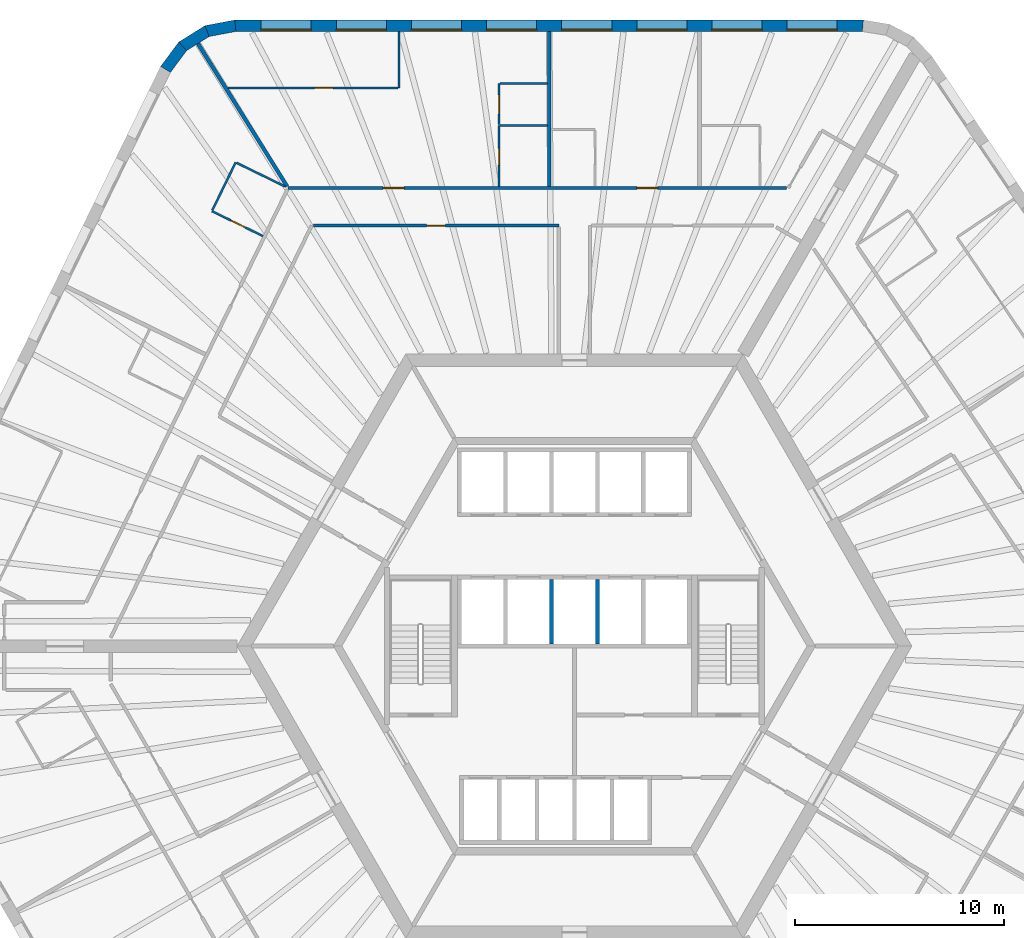
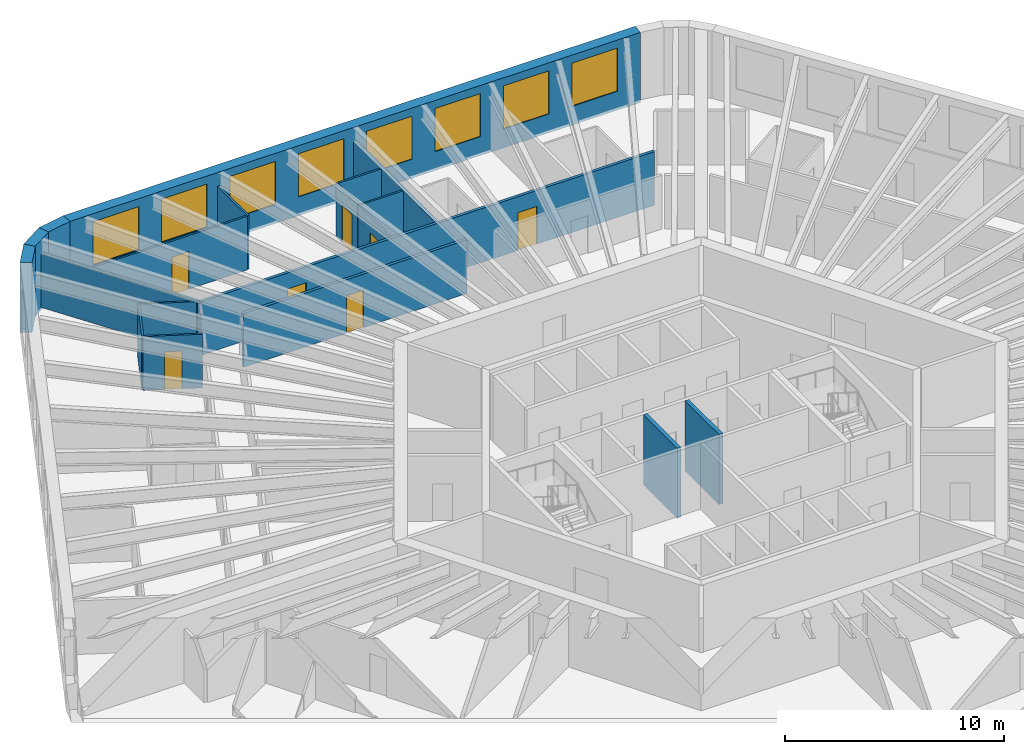
# One storey, part 8 of 12: 19 walls, 8 windows, 7 doors, 15 openings.
"""IFC4 building model written with IfcOpenShell, lengths in metres."""

from ifc_helpers import new_model, si_unit, direction, frame, frame_2d, origin, place, context, subcontext, project, spatial, polyline, rectangle, outline, extrude, material, layer, layer_set, type_object, element, fill, save


model = new_model("IFC4")

# Units and contexts
model_context = context("Model", 3, precision=1e-05, world=origin(), true_north=direction((0.0, 1.0)))
body_context = subcontext(model_context, "Body", "Model", "MODEL_VIEW")
ifc_project = project(units=[si_unit("LENGTHUNIT", "METRE"), si_unit("AREAUNIT", "SQUARE_METRE"), si_unit("VOLUMEUNIT", "CUBIC_METRE"), si_unit("PLANEANGLEUNIT", "RADIAN"), si_unit("MASSUNIT", "GRAM", prefix="KILO")], contexts=[model_context])

# Site, building, storey
site_placement = place(None, origin())
site = spatial("IfcSite", under=ifc_project, at=site_placement, CompositionType="ELEMENT")
building_placement = place(site_placement, origin())
building = spatial("IfcBuilding", under=site, at=building_placement, Name="Tarnside Tower", CompositionType="ELEMENT")
storey_placement = place(building_placement, frame((0.0, 0.0, 119.39990234375)))
storey = spatial("IfcBuildingStorey", under=building, at=storey_placement, Name="L27", CompositionType="ELEMENT", Elevation=119.39990234375)

# Wall, opening, door
ifc_material_1 = material(Name="Gypsum board partition on steel studs", Category="steel")
ifc_layer_1 = layer(ifc_material_1, 0.10009765625)
ifc_layer_set_1 = layer_set([ifc_layer_1], Name="Bathroom wall 100")
wall_type_1 = type_object("IfcWallType", Name="Bathroom wall 100", PredefinedType="PARTITIONING", material=ifc_layer_set_1)
wall_1_placement = place(storey_placement, frame((-3.611083984375, 22.02490234375, 0.0), z_axis=(0.0, 0.0, 1.0), x_axis=(0.0, 1.0, 0.0)))
wall_1 = element("IfcWall", 1, at=wall_1_placement, inside=storey, type_object=wall_type_1, Name="Bathroom wall 08081", PredefinedType="PARTITIONING", context=body_context, shape_type="SweptSolid", body=[
    extrude(rectangle(XDim=2.925048828125, YDim=0.10009765625, at=frame_2d((1.46240234375, 0.0))), origin(), (0.0, 0.0, 1.0), 2.98779296875),
])
opening_1_placement = place(wall_1_placement, frame((1.02490234375, 0.0, 0.0)))
opening_1 = element("IfcOpeningElement", 2, at=opening_1_placement, cuts=wall_1, Name="Opening D-B1", PredefinedType="OPENING", context=body_context, shape_type="SweptSolid", body=[
    extrude(rectangle(XDim=0.800048828125, YDim=2.10009765625, at=frame_2d((0.39990234375, 1.050048828125))), frame((0.0, 0.06005859375, 0.0), z_axis=(0.0, -1.0, 0.0), x_axis=(1.0, 0.0, 0.0)), (0.0, 0.0, 1.0), 0.1201171875),
])
ifc_material_2 = material(Name="Timber door leaf", Category="wood")
door_type_1 = type_object("IfcDoorType", Name="Bathroom door 800", OperationType="NOTDEFINED", PredefinedType="DOOR", material=ifc_material_2)
door_1_placement = place(opening_1_placement, origin())
door_1 = element("IfcDoor", 3, at=door_1_placement, inside=storey, type_object=door_type_1, Name="Bathroom door 08006", OperationType="SINGLE_SWING_RIGHT", OverallHeight=2.10009765625, OverallWidth=0.800048828125, PredefinedType="DOOR", context=body_context, shape_type="SweptSolid", body=[
    extrude(rectangle(XDim=0.800048828125, YDim=2.10009765625, at=frame_2d((0.39990234375, 1.050048828125))), frame((0.0, 0.02490234375, 0.0), z_axis=(0.0, -1.0, 0.0), x_axis=(1.0, 0.0, 0.0)), (0.0, 0.0, 1.0), 0.050048828125),
])
fill(opening_1, door_1)

# Wall
wall_2_placement = place(storey_placement, frame((-1.301025390625, 24.949951171875, 0.0), z_axis=(0.0, 0.0, 1.0), x_axis=(-1.0, 0.0, 0.0)))
element("IfcWall", 4, at=wall_2_placement, inside=storey, type_object=wall_type_1, Name="Bathroom wall 08087", PredefinedType="PARTITIONING", context=body_context, shape_type="SweptSolid", body=[
    extrude(rectangle(XDim=2.260009765625, YDim=0.10009765625, at=frame_2d((1.1298828125, 0.0))), origin(), (0.0, 0.0, 1.0), 2.98779296875),
])

# Wall, opening, door
wall_3_placement = place(storey_placement, frame((-14.923095703125, 19.64599609375, 0.0), z_axis=(0.0, 0.0, 1.0), x_axis=(-0.898791692788, 0.43837597217, 0.0)))
wall_3 = element("IfcWall", 5, at=wall_3_placement, inside=storey, type_object=wall_type_1, Name="Bathroom wall 08089", PredefinedType="PARTITIONING", context=body_context, shape_type="SweptSolid", body=[
    extrude(rectangle(XDim=2.72509765625, YDim=0.10009765625, at=frame_2d((1.362548828125, 0.0))), origin(), (0.0, 0.0, 1.0), 2.98779296875),
])
opening_2_placement = place(wall_3_placement, frame((0.925048828125, 0.0, 0.0)))
opening_2 = element("IfcOpeningElement", 6, at=opening_2_placement, cuts=wall_3, Name="Opening D-B1", PredefinedType="OPENING", context=body_context, shape_type="SweptSolid", body=[
    extrude(rectangle(XDim=0.800048828125, YDim=2.10009765625, at=frame_2d((0.39990234375, 1.050048828125))), frame((0.0, 0.06005859375, 0.0), z_axis=(0.0, -1.0, 0.0), x_axis=(1.0, 0.0, 0.0)), (0.0, 0.0, 1.0), 0.1201171875),
])
door_2_placement = place(opening_2_placement, origin())
door_2 = element("IfcDoor", 7, at=door_2_placement, inside=storey, type_object=door_type_1, Name="Bathroom door 08010", OperationType="SINGLE_SWING_RIGHT", OverallHeight=2.10009765625, OverallWidth=0.800048828125, PredefinedType="DOOR", context=body_context, shape_type="SweptSolid", body=[
    extrude(rectangle(XDim=0.800048828125, YDim=2.10009765625, at=frame_2d((0.39990234375, 1.050048828125))), frame((0.0, 0.02490234375, 0.0), z_axis=(0.0, -1.0, 0.0), x_axis=(1.0, 0.0, 0.0)), (0.0, 0.0, 1.0), 0.050048828125),
])
fill(opening_2, door_2)

# Walls
wall_4_placement = place(storey_placement, frame((-17.350341796875, 20.885498046875, 0.0), z_axis=(0.0, 0.0, 1.0), x_axis=(0.438384020656, 0.898787767181, 0.0)))
element("IfcWall", 8, at=wall_4_placement, inside=storey, type_object=wall_type_1, Name="Bathroom wall 08090", PredefinedType="PARTITIONING", context=body_context, shape_type="SweptSolid", body=[
    extrude(rectangle(XDim=2.550048828125, YDim=0.10009765625, at=frame_2d((1.27490234375, 0.0))), origin(), (0.0, 0.0, 1.0), 2.98779296875),
])
wall_5_placement = place(storey_placement, frame((-16.1875, 23.155517578125, 0.0), z_axis=(0.0, 0.0, 1.0), x_axis=(0.898776633961, -0.438406845573, 0.0)))
element("IfcWall", 9, at=wall_5_placement, inside=storey, type_object=wall_type_1, Name="Bathroom wall 08091", PredefinedType="PARTITIONING", context=body_context, shape_type="SweptSolid", body=[
    extrude(rectangle(XDim=2.578857421875, YDim=0.10009765625, at=frame_2d((1.28955078125, 0.0))), origin(), (0.0, 0.0, 1.0), 2.98779296875),
])

# Wall, openings, doors
ifc_layer_2 = layer(ifc_material_1, 0.14990234375)
ifc_layer_set_2 = layer_set([ifc_layer_2], Name="Corridor wall 150 EI 60")
wall_type_2 = type_object("IfcWallType", Name="Corridor wall 150 EI 60", PredefinedType="PARTITIONING", material=ifc_layer_set_2)
wall_6_placement = place(storey_placement, frame((10.161376953125, 21.949951171875, 0.0), z_axis=(0.0, 0.0, 1.0), x_axis=(-1.0, 0.0, 0.0)))
wall_6 = element("IfcWall", 10, at=wall_6_placement, inside=storey, type_object=wall_type_2, Name="Corridor wall 08003", PredefinedType="PARTITIONING", context=body_context, shape_type="SweptSolid", body=[
    extrude(rectangle(XDim=23.877197265625, YDim=0.14990234375, at=frame_2d((11.9384765625, 0.0))), origin(), (0.0, 0.0, 1.0), 2.98779296875),
])
opening_3_placement = place(wall_6_placement, frame((6.17236328125, 0.0, 0.0)))
opening_3 = element("IfcOpeningElement", 11, at=opening_3_placement, cuts=wall_6, Name="Opening D-E1", PredefinedType="OPENING", context=body_context, shape_type="SweptSolid", body=[
    extrude(rectangle(XDim=1.0, YDim=2.10009765625, at=frame_2d((0.5, 1.050048828125))), frame((0.0, 0.0849609375, 0.0), z_axis=(0.0, -1.0, 0.0), x_axis=(1.0, 0.0, 0.0)), (0.0, 0.0, 1.0), 0.169921875),
])
opening_4_placement = place(wall_6_placement, frame((18.324951171875, 0.0, 0.0)))
opening_4 = element("IfcOpeningElement", 12, at=opening_4_placement, cuts=wall_6, Name="Opening D-E1", PredefinedType="OPENING", context=body_context, shape_type="SweptSolid", body=[
    extrude(rectangle(XDim=1.0, YDim=2.10009765625, at=frame_2d((0.5, 1.050048828125))), frame((0.0, 0.0849609375, 0.0), z_axis=(0.0, -1.0, 0.0), x_axis=(1.0, 0.0, 0.0)), (0.0, 0.0, 1.0), 0.169921875),
])
door_type_2 = type_object("IfcDoorType", Name="Unit entrance door 1000 FD30S", OperationType="NOTDEFINED", PredefinedType="DOOR", material=ifc_material_2)
door_3_placement = place(opening_3_placement, origin())
door_3 = element("IfcDoor", 13, at=door_3_placement, inside=storey, type_object=door_type_2, Name="Unit door 08003", OperationType="SINGLE_SWING_LEFT", OverallHeight=2.10009765625, OverallWidth=1.0, PredefinedType="DOOR", context=body_context, shape_type="SweptSolid", body=[
    extrude(rectangle(XDim=1.0, YDim=2.10009765625, at=frame_2d((0.5, 1.050048828125))), frame((0.0, 0.02490234375, 0.0), z_axis=(0.0, -1.0, 0.0), x_axis=(1.0, 0.0, 0.0)), (0.0, 0.0, 1.0), 0.050048828125),
])
fill(opening_3, door_3)
door_4_placement = place(opening_4_placement, origin())
door_4 = element("IfcDoor", 14, at=door_4_placement, inside=storey, type_object=door_type_2, Name="Unit door 08005", OperationType="SINGLE_SWING_RIGHT", OverallHeight=2.10009765625, OverallWidth=1.0, PredefinedType="DOOR", context=body_context, shape_type="SweptSolid", body=[
    extrude(rectangle(XDim=1.0, YDim=2.10009765625, at=frame_2d((0.5, 1.050048828125))), frame((0.0, 0.02490234375, 0.0), z_axis=(0.0, -1.0, 0.0), x_axis=(1.0, 0.0, 0.0)), (0.0, 0.0, 1.0), 0.050048828125),
])
fill(opening_4, door_4)

# Wall, opening, door
wall_7_placement = place(storey_placement, frame((-12.507568359375, 20.14990234375, 0.0), z_axis=(0.0, 0.0, 1.0), x_axis=(1.0, 0.0, 0.0)))
wall_7 = element("IfcWall", 15, at=wall_7_placement, inside=storey, type_object=wall_type_2, Name="Corridor wall 08018", PredefinedType="PARTITIONING", context=body_context, shape_type="SweptSolid", body=[
    extrude(rectangle(XDim=11.757568359375, YDim=0.14990234375, at=frame_2d((5.87890625, 0.0))), origin(), (0.0, 0.0, 1.0), 2.98779296875),
])
opening_5_placement = place(wall_7_placement, frame((5.428955078125, 0.0, 0.0)))
opening_5 = element("IfcOpeningElement", 16, at=opening_5_placement, cuts=wall_7, Name="Opening D-S1", PredefinedType="OPENING", context=body_context, shape_type="SweptSolid", body=[
    extrude(rectangle(XDim=0.89990234375, YDim=2.10009765625, at=frame_2d((0.449951171875, 1.050048828125))), frame((0.0, 0.0849609375, 0.0), z_axis=(0.0, -1.0, 0.0), x_axis=(1.0, 0.0, 0.0)), (0.0, 0.0, 1.0), 0.169921875),
])
door_type_3 = type_object("IfcDoorType", Name="Service room door 900 FD30S", OperationType="NOTDEFINED", PredefinedType="DOOR", material=ifc_material_2)
door_5_placement = place(opening_5_placement, origin())
door_5 = element("IfcDoor", 17, at=door_5_placement, inside=storey, type_object=door_type_3, Name="Service door 08040", OperationType="SINGLE_SWING_RIGHT", OverallHeight=2.10009765625, OverallWidth=0.89990234375, PredefinedType="DOOR", context=body_context, shape_type="SweptSolid", body=[
    extrude(rectangle(XDim=0.89990234375, YDim=2.10009765625, at=frame_2d((0.449951171875, 1.050048828125))), frame((0.0, 0.02490234375, 0.0), z_axis=(0.0, -1.0, 0.0), x_axis=(1.0, 0.0, 0.0)), (0.0, 0.0, 1.0), 0.050048828125),
])
fill(opening_5, door_5)

# Walls
ifc_layer_3 = layer(ifc_material_1, 0.179931640625)
ifc_layer_set_3 = layer_set([ifc_layer_3], Name="Demising wall 180 EI 60")
wall_type_3 = type_object("IfcWallType", Name="Demising wall 180 EI 60", PredefinedType="PARTITIONING", material=ifc_layer_set_3)
wall_8_placement = place(storey_placement, frame((-1.2109375, 29.449951171875, 0.0), z_axis=(0.0, 0.0, 1.0), x_axis=(0.0, -1.0, 0.0)))
element("IfcWall", 18, at=wall_8_placement, inside=storey, type_object=wall_type_3, Name="Demising wall 08077", PredefinedType="PARTITIONING", context=body_context, shape_type="SweptSolid", body=[
    extrude(rectangle(XDim=7.425048828125, YDim=0.179931640625, at=frame_2d((3.71240234375, 0.0))), origin(), (0.0, 0.0, 1.0), 2.98779296875),
])
wall_9_placement = place(storey_placement, frame((-18.040771484375, 28.87109375, 0.0), z_axis=(0.0, 0.0, 1.0), x_axis=(0.529928260537, -0.848042474575, 0.0)))
element("IfcWall", 19, at=wall_9_placement, inside=storey, type_object=wall_type_3, Name="Demising wall 08086", PredefinedType="PARTITIONING", context=body_context, shape_type="SweptSolid", body=[
    extrude(rectangle(XDim=8.072998046875, YDim=0.179931640625, at=frame_2d((4.03662109375, 0.0))), origin(), (0.0, 0.0, 1.0), 2.98779296875),
])
ifc_material_3 = material(Name="Concrete C40/50", Category="concrete")
ifc_layer_4 = layer(ifc_material_3, 0.199951171875)
ifc_layer_set_4 = layer_set([ifc_layer_4], Name="Lift shaft wall 200 C40/50")
wall_type_4 = type_object("IfcWallType", Name="Lift shaft wall 200 C40/50", PredefinedType="SHEAR", material=ifc_layer_set_4)
for number, where, z_axis, x_axis, name in (
    (20, (-1.10009765625, 0.10009765625, -0.25), (0.0, 0.0, 1.0), (0.0, 1.0, 0.0), "L27 lift shaft partition R23"),
    (21, (1.10009765625, 0.10009765625, -0.25), (0.0, 0.0, 1.0), (0.0, 1.0, 0.0), "L27 lift shaft partition R24"),
):
    element("IfcWall", number, at=place(storey_placement, frame(where, z_axis=z_axis, x_axis=x_axis)), inside=storey, type_object=wall_type_4, Name=name, PredefinedType="SHEAR", context=body_context, shape_type="SweptSolid", body=[
        extrude(rectangle(XDim=3.099853515625, YDim=0.199951171875, at=frame_2d((1.5498046875, 0.0))), origin(), (0.0, 0.0, 1.0), 3.900146484375),
    ])

# Wall, opening, door
ifc_layer_5 = layer(ifc_material_1, 0.10009765625)
ifc_layer_set_5 = layer_set([ifc_layer_5], Name="Partition 100")
wall_type_5 = type_object("IfcWallType", Name="Partition 100", PredefinedType="PARTITIONING", material=ifc_layer_set_5)
wall_10_placement = place(storey_placement, frame((-3.611083984375, 25.0, 0.0), z_axis=(0.0, 0.0, 1.0), x_axis=(0.0, 1.0, 0.0)))
wall_10 = element("IfcWall", 22, at=wall_10_placement, inside=storey, type_object=wall_type_5, Name="Partition wall 08082", PredefinedType="PARTITIONING", context=body_context, shape_type="SweptSolid", body=[
    extrude(rectangle(XDim=1.949951171875, YDim=0.10009765625, at=frame_2d((0.97509765625, 0.0))), origin(), (0.0, 0.0, 1.0), 2.98779296875),
])
opening_6_placement = place(wall_10_placement, frame((0.5, 0.0, 0.0)))
opening_6 = element("IfcOpeningElement", 23, at=opening_6_placement, cuts=wall_10, Name="Opening D-I1", PredefinedType="OPENING", context=body_context, shape_type="SweptSolid", body=[
    extrude(rectangle(XDim=0.89990234375, YDim=2.10009765625, at=frame_2d((0.449951171875, 1.050048828125))), frame((0.0, 0.06005859375, 0.0), z_axis=(0.0, -1.0, 0.0), x_axis=(1.0, 0.0, 0.0)), (0.0, 0.0, 1.0), 0.1201171875),
])
door_type_4 = type_object("IfcDoorType", Name="Internal door 900", OperationType="NOTDEFINED", PredefinedType="DOOR", material=ifc_material_2)
door_6_placement = place(opening_6_placement, origin())
door_6 = element("IfcDoor", 24, at=door_6_placement, inside=storey, type_object=door_type_4, Name="Internal door 08007", OperationType="SINGLE_SWING_RIGHT", OverallHeight=2.10009765625, OverallWidth=0.89990234375, PredefinedType="DOOR", context=body_context, shape_type="SweptSolid", body=[
    extrude(rectangle(XDim=0.89990234375, YDim=2.10009765625, at=frame_2d((0.449951171875, 1.050048828125))), frame((0.0, 0.02490234375, 0.0), z_axis=(0.0, -1.0, 0.0), x_axis=(1.0, 0.0, 0.0)), (0.0, 0.0, 1.0), 0.050048828125),
])
fill(opening_6, door_6)

# Walls
wall_11_placement = place(storey_placement, frame((-3.56103515625, 26.949951171875, 0.0), z_axis=(0.0, 0.0, 1.0), x_axis=(1.0, 0.0, 0.0)))
element("IfcWall", 25, at=wall_11_placement, inside=storey, type_object=wall_type_5, Name="Partition wall 08083", PredefinedType="PARTITIONING", context=body_context, shape_type="SweptSolid", body=[
    extrude(rectangle(XDim=2.260009765625, YDim=0.10009765625, at=frame_2d((1.1298828125, 0.0))), origin(), (0.0, 0.0, 1.0), 2.98779296875),
])
wall_12_placement = place(storey_placement, frame((-8.4111328125, 29.449951171875, 0.0), z_axis=(0.0, 0.0, 1.0), x_axis=(0.0, -1.0, 0.0)))
element("IfcWall", 26, at=wall_12_placement, inside=storey, type_object=wall_type_5, Name="Partition wall 08084", PredefinedType="PARTITIONING", context=body_context, shape_type="SweptSolid", body=[
    extrude(rectangle(XDim=2.699951171875, YDim=0.10009765625, at=frame_2d((1.35009765625, 0.0))), origin(), (0.0, 0.0, 1.0), 2.98779296875),
])

# Wall, opening, door
wall_13_placement = place(storey_placement, frame((-8.4609375, 26.75, 0.0), z_axis=(0.0, 0.0, 1.0), x_axis=(-1.0, 0.0, 0.0)))
wall_13 = element("IfcWall", 27, at=wall_13_placement, inside=storey, type_object=wall_type_5, Name="Partition wall 08085", PredefinedType="PARTITIONING", context=body_context, shape_type="SweptSolid", body=[
    extrude(rectangle(XDim=8.148193359375, YDim=0.10009765625, at=frame_2d((4.07421875, 0.0))), origin(), (0.0, 0.0, 1.0), 2.98779296875),
])
opening_7_placement = place(wall_13_placement, frame((3.10009765625, 0.0, 0.0)))
opening_7 = element("IfcOpeningElement", 28, at=opening_7_placement, cuts=wall_13, Name="Opening D-I1", PredefinedType="OPENING", context=body_context, shape_type="SweptSolid", body=[
    extrude(rectangle(XDim=0.89990234375, YDim=2.10009765625, at=frame_2d((0.449951171875, 1.050048828125))), frame((0.0, 0.06005859375, 0.0), z_axis=(0.0, -1.0, 0.0), x_axis=(1.0, 0.0, 0.0)), (0.0, 0.0, 1.0), 0.1201171875),
])
door_7_placement = place(opening_7_placement, origin())
door_7 = element("IfcDoor", 29, at=door_7_placement, inside=storey, type_object=door_type_4, Name="Internal door 08008", OperationType="SINGLE_SWING_RIGHT", OverallHeight=2.10009765625, OverallWidth=0.89990234375, PredefinedType="DOOR", context=body_context, shape_type="SweptSolid", body=[
    extrude(rectangle(XDim=0.89990234375, YDim=2.10009765625, at=frame_2d((0.449951171875, 1.050048828125))), frame((0.0, 0.02490234375, 0.0), z_axis=(0.0, -1.0, 0.0), x_axis=(1.0, 0.0, 0.0)), (0.0, 0.0, 1.0), 0.050048828125),
])
fill(opening_7, door_7)

# Wall, openings, windows
ifc_material_4 = material(Name="Facing brick", Category="masonry")
ifc_layer_6 = layer(ifc_material_4, 0.10205078125)
ifc_material_5 = material(Name="Concrete C60/75 precast", Category="concrete")
ifc_layer_7 = layer(ifc_material_5, 0.347900390625)
ifc_material_6 = material(Name="Mineral wool insulation")
ifc_layer_8 = layer(ifc_material_6, 0.10009765625)
ifc_layer_set_6 = layer_set([ifc_layer_6, ifc_layer_7, ifc_layer_8], Name="Tube wall 550 brick faced")
wall_type_6 = type_object("IfcWallType", Name="Tube wall 550 brick faced", PredefinedType="SOLIDWALL", material=ifc_layer_set_6)
wall_14_placement = place(storey_placement, frame((13.824462890625, 29.72509765625, -0.14990234375), z_axis=(0.0, 0.0, 1.0), x_axis=(-1.0, 0.0, 0.0)))
wall_14 = element("IfcWall", 30, at=wall_14_placement, inside=storey, type_object=wall_type_6, Name="Tube wall L27 F1 flush 00", PredefinedType="SOLIDWALL", context=body_context, shape_type="SweptSolid", body=[
    extrude(outline(polyline([(-0.0224609375, -0.27490234375), (30.0966796875, -0.27490234375), (30.04541015625, 0.27490234375), (0.0224609375, 0.27490234375), (-0.0224609375, -0.27490234375)])), origin(), (0.0, 0.0, 1.0), 3.89990234375),
])
opening_8_placement = place(wall_14_placement, frame((1.235595703125, 0.0, 1.050048828125)))
opening_8 = element("IfcOpeningElement", 31, at=opening_8_placement, cuts=wall_14, Name="Opening WH", PredefinedType="OPENING", context=body_context, shape_type="SweptSolid", body=[
    extrude(rectangle(XDim=2.39990234375, YDim=2.39990234375, at=frame_2d((1.199951171875, 1.199951171875))), frame((0.0, 0.28515625, 0.0), z_axis=(0.0, -1.0, 0.0), x_axis=(1.0, 0.0, 0.0)), (0.0, 0.0, 1.0), 0.570068359375),
])
opening_9_placement = place(wall_14_placement, frame((4.83544921875, 0.0, 1.050048828125)))
opening_9 = element("IfcOpeningElement", 32, at=opening_9_placement, cuts=wall_14, Name="Opening WH", PredefinedType="OPENING", context=body_context, shape_type="SweptSolid", body=[
    extrude(rectangle(XDim=2.39990234375, YDim=2.39990234375, at=frame_2d((1.199951171875, 1.199951171875))), frame((0.0, 0.28515625, 0.0), z_axis=(0.0, -1.0, 0.0), x_axis=(1.0, 0.0, 0.0)), (0.0, 0.0, 1.0), 0.570068359375),
])
opening_10_placement = place(wall_14_placement, frame((8.435546875, 0.0, 1.050048828125)))
opening_10 = element("IfcOpeningElement", 33, at=opening_10_placement, cuts=wall_14, Name="Opening WH", PredefinedType="OPENING", context=body_context, shape_type="SweptSolid", body=[
    extrude(rectangle(XDim=2.39990234375, YDim=2.39990234375, at=frame_2d((1.199951171875, 1.199951171875))), frame((0.0, 0.28515625, 0.0), z_axis=(0.0, -1.0, 0.0), x_axis=(1.0, 0.0, 0.0)), (0.0, 0.0, 1.0), 0.570068359375),
])
opening_11_placement = place(wall_14_placement, frame((12.035400390625, 0.0, 1.050048828125)))
opening_11 = element("IfcOpeningElement", 34, at=opening_11_placement, cuts=wall_14, Name="Opening WH", PredefinedType="OPENING", context=body_context, shape_type="SweptSolid", body=[
    extrude(rectangle(XDim=2.39990234375, YDim=2.39990234375, at=frame_2d((1.199951171875, 1.199951171875))), frame((0.0, 0.28515625, 0.0), z_axis=(0.0, -1.0, 0.0), x_axis=(1.0, 0.0, 0.0)), (0.0, 0.0, 1.0), 0.570068359375),
])
opening_12_placement = place(wall_14_placement, frame((15.635498046875, 0.0, 1.050048828125)))
opening_12 = element("IfcOpeningElement", 35, at=opening_12_placement, cuts=wall_14, Name="Opening WH", PredefinedType="OPENING", context=body_context, shape_type="SweptSolid", body=[
    extrude(rectangle(XDim=2.39990234375, YDim=2.39990234375, at=frame_2d((1.199951171875, 1.199951171875))), frame((0.0, 0.28515625, 0.0), z_axis=(0.0, -1.0, 0.0), x_axis=(1.0, 0.0, 0.0)), (0.0, 0.0, 1.0), 0.570068359375),
])
opening_13_placement = place(wall_14_placement, frame((19.235595703125, 0.0, 1.050048828125)))
opening_13 = element("IfcOpeningElement", 36, at=opening_13_placement, cuts=wall_14, Name="Opening WH", PredefinedType="OPENING", context=body_context, shape_type="SweptSolid", body=[
    extrude(rectangle(XDim=2.39990234375, YDim=2.39990234375, at=frame_2d((1.199951171875, 1.199951171875))), frame((0.0, 0.28515625, 0.0), z_axis=(0.0, -1.0, 0.0), x_axis=(1.0, 0.0, 0.0)), (0.0, 0.0, 1.0), 0.570068359375),
])
opening_14_placement = place(wall_14_placement, frame((22.83544921875, 0.0, 1.050048828125)))
opening_14 = element("IfcOpeningElement", 37, at=opening_14_placement, cuts=wall_14, Name="Opening WH", PredefinedType="OPENING", context=body_context, shape_type="SweptSolid", body=[
    extrude(rectangle(XDim=2.39990234375, YDim=2.39990234375, at=frame_2d((1.199951171875, 1.199951171875))), frame((0.0, 0.28515625, 0.0), z_axis=(0.0, -1.0, 0.0), x_axis=(1.0, 0.0, 0.0)), (0.0, 0.0, 1.0), 0.570068359375),
])
opening_15_placement = place(wall_14_placement, frame((26.435546875, 0.0, 1.050048828125)))
opening_15 = element("IfcOpeningElement", 38, at=opening_15_placement, cuts=wall_14, Name="Opening WH", PredefinedType="OPENING", context=body_context, shape_type="SweptSolid", body=[
    extrude(rectangle(XDim=2.39990234375, YDim=2.39990234375, at=frame_2d((1.199951171875, 1.199951171875))), frame((0.0, 0.28515625, 0.0), z_axis=(0.0, -1.0, 0.0), x_axis=(1.0, 0.0, 0.0)), (0.0, 0.0, 1.0), 0.570068359375),
])
ifc_material_7 = material(Name="Aluminium-framed double glazing", Category="aluminium")
window_type = type_object("IfcWindowType", Name="Hotel window 2400 x 2400", PartitioningType="DOUBLE_PANEL_VERTICAL", PredefinedType="WINDOW", material=ifc_material_7)
window_1_placement = place(opening_8_placement, frame((0.0, 0.205078125, 0.0)))
window_1 = element("IfcWindow", 39, at=window_1_placement, inside=storey, type_object=window_type, Name="E.WN.L27.F1.00", OverallHeight=2.39990234375, OverallWidth=2.39990234375, PartitioningType="DOUBLE_PANEL_VERTICAL", PredefinedType="WINDOW", context=body_context, shape_type="SweptSolid", body=[
    extrude(rectangle(XDim=2.39990234375, YDim=2.39990234375, at=frame_2d((1.199951171875, 1.199951171875))), frame((0.0, 0.030029296875, 0.0), z_axis=(0.0, -1.0, 0.0), x_axis=(1.0, 0.0, 0.0)), (0.0, 0.0, 1.0), 0.06005859375),
])
fill(opening_8, window_1)
window_2_placement = place(opening_9_placement, frame((0.0, 0.205078125, 0.0)))
window_2 = element("IfcWindow", 40, at=window_2_placement, inside=storey, type_object=window_type, Name="E.WN.L27.F1.01", OverallHeight=2.39990234375, OverallWidth=2.39990234375, PartitioningType="DOUBLE_PANEL_VERTICAL", PredefinedType="WINDOW", context=body_context, shape_type="SweptSolid", body=[
    extrude(rectangle(XDim=2.39990234375, YDim=2.39990234375, at=frame_2d((1.199951171875, 1.199951171875))), frame((0.0, 0.030029296875, 0.0), z_axis=(0.0, -1.0, 0.0), x_axis=(1.0, 0.0, 0.0)), (0.0, 0.0, 1.0), 0.06005859375),
])
fill(opening_9, window_2)
window_3_placement = place(opening_10_placement, frame((0.0, 0.205078125, 0.0)))
window_3 = element("IfcWindow", 41, at=window_3_placement, inside=storey, type_object=window_type, Name="E.WN.L27.F1.02", OverallHeight=2.39990234375, OverallWidth=2.39990234375, PartitioningType="DOUBLE_PANEL_VERTICAL", PredefinedType="WINDOW", context=body_context, shape_type="SweptSolid", body=[
    extrude(rectangle(XDim=2.39990234375, YDim=2.39990234375, at=frame_2d((1.199951171875, 1.199951171875))), frame((0.0, 0.030029296875, 0.0), z_axis=(0.0, -1.0, 0.0), x_axis=(1.0, 0.0, 0.0)), (0.0, 0.0, 1.0), 0.06005859375),
])
fill(opening_10, window_3)
window_4_placement = place(opening_11_placement, frame((0.0, 0.205078125, 0.0)))
window_4 = element("IfcWindow", 42, at=window_4_placement, inside=storey, type_object=window_type, Name="E.WN.L27.F1.03", OverallHeight=2.39990234375, OverallWidth=2.39990234375, PartitioningType="DOUBLE_PANEL_VERTICAL", PredefinedType="WINDOW", context=body_context, shape_type="SweptSolid", body=[
    extrude(rectangle(XDim=2.39990234375, YDim=2.39990234375, at=frame_2d((1.199951171875, 1.199951171875))), frame((0.0, 0.030029296875, 0.0), z_axis=(0.0, -1.0, 0.0), x_axis=(1.0, 0.0, 0.0)), (0.0, 0.0, 1.0), 0.06005859375),
])
fill(opening_11, window_4)
window_5_placement = place(opening_12_placement, frame((0.0, 0.205078125, 0.0)))
window_5 = element("IfcWindow", 43, at=window_5_placement, inside=storey, type_object=window_type, Name="E.WN.L27.F1.04", OverallHeight=2.39990234375, OverallWidth=2.39990234375, PartitioningType="DOUBLE_PANEL_VERTICAL", PredefinedType="WINDOW", context=body_context, shape_type="SweptSolid", body=[
    extrude(rectangle(XDim=2.39990234375, YDim=2.39990234375, at=frame_2d((1.199951171875, 1.199951171875))), frame((0.0, 0.030029296875, 0.0), z_axis=(0.0, -1.0, 0.0), x_axis=(1.0, 0.0, 0.0)), (0.0, 0.0, 1.0), 0.06005859375),
])
fill(opening_12, window_5)
window_6_placement = place(opening_13_placement, frame((0.0, 0.205078125, 0.0)))
window_6 = element("IfcWindow", 44, at=window_6_placement, inside=storey, type_object=window_type, Name="E.WN.L27.F1.05", OverallHeight=2.39990234375, OverallWidth=2.39990234375, PartitioningType="DOUBLE_PANEL_VERTICAL", PredefinedType="WINDOW", context=body_context, shape_type="SweptSolid", body=[
    extrude(rectangle(XDim=2.39990234375, YDim=2.39990234375, at=frame_2d((1.199951171875, 1.199951171875))), frame((0.0, 0.030029296875, 0.0), z_axis=(0.0, -1.0, 0.0), x_axis=(1.0, 0.0, 0.0)), (0.0, 0.0, 1.0), 0.06005859375),
])
fill(opening_13, window_6)
window_7_placement = place(opening_14_placement, frame((0.0, 0.205078125, 0.0)))
window_7 = element("IfcWindow", 45, at=window_7_placement, inside=storey, type_object=window_type, Name="E.WN.L27.F1.06", OverallHeight=2.39990234375, OverallWidth=2.39990234375, PartitioningType="DOUBLE_PANEL_VERTICAL", PredefinedType="WINDOW", context=body_context, shape_type="SweptSolid", body=[
    extrude(rectangle(XDim=2.39990234375, YDim=2.39990234375, at=frame_2d((1.199951171875, 1.199951171875))), frame((0.0, 0.030029296875, 0.0), z_axis=(0.0, -1.0, 0.0), x_axis=(1.0, 0.0, 0.0)), (0.0, 0.0, 1.0), 0.06005859375),
])
fill(opening_14, window_7)
window_8_placement = place(opening_15_placement, frame((0.0, 0.205078125, 0.0)))
window_8 = element("IfcWindow", 46, at=window_8_placement, inside=storey, type_object=window_type, Name="E.WN.L27.F1.07", OverallHeight=2.39990234375, OverallWidth=2.39990234375, PartitioningType="DOUBLE_PANEL_VERTICAL", PredefinedType="WINDOW", context=body_context, shape_type="SweptSolid", body=[
    extrude(rectangle(XDim=2.39990234375, YDim=2.39990234375, at=frame_2d((1.199951171875, 1.199951171875))), frame((0.0, 0.030029296875, 0.0), z_axis=(0.0, -1.0, 0.0), x_axis=(1.0, 0.0, 0.0)), (0.0, 0.0, 1.0), 0.06005859375),
])
fill(opening_15, window_8)

# Walls
wall_15_placement = place(storey_placement, frame((-16.24658203125, 29.72509765625, -0.14990234375), z_axis=(0.0, 0.0, 1.0), x_axis=(-0.982705443133, -0.185175624845, 0.0)))
element("IfcWall", 47, at=wall_15_placement, inside=storey, type_object=wall_type_6, Name="Tube wall L27 F1 chord 01", PredefinedType="SOLIDWALL", context=body_context, shape_type="SweptSolid", body=[
    extrude(outline(polyline([(-0.025634765625, -0.27490234375), (1.430908203125, -0.27490234375), (1.327392578125, 0.27490234375), (0.025634765625, 0.27490234375), (-0.025634765625, -0.27490234375)])), origin(), (0.0, 0.0, 1.0), 3.89990234375),
])
wall_16_placement = place(storey_placement, frame((-17.601806640625, 29.4697265625, -0.14990234375), z_axis=(0.0, 0.0, 1.0), x_axis=(-0.848057977594, -0.5299034503, 0.0)))
element("IfcWall", 48, at=wall_16_placement, inside=storey, type_object=wall_type_6, Name="Tube wall L27 F1 chord 02", PredefinedType="SOLIDWALL", context=body_context, shape_type="SweptSolid", body=[
    extrude(outline(polyline([(-0.0517578125, -0.27490234375), (1.4306640625, -0.27490234375), (1.3271484375, 0.27490234375), (0.0517578125, 0.27490234375), (-0.0517578125, -0.27490234375)])), origin(), (0.0, 0.0, 1.0), 3.89990234375),
])
wall_17_placement = place(storey_placement, frame((-18.771240234375, 28.739013671875, -0.14990234375), z_axis=(0.0, 0.0, 1.0), x_axis=(-0.597135295884, -0.802140535324, 0.0)))
element("IfcWall", 49, at=wall_17_placement, inside=storey, type_object=wall_type_6, Name="Tube wall L27 F1 chord 03", PredefinedType="SOLIDWALL", context=body_context, shape_type="SweptSolid", body=[
    extrude(outline(polyline([(-0.0517578125, -0.27490234375), (1.40478515625, -0.27490234375), (1.353515625, 0.27490234375), (0.0517578125, 0.27490234375), (-0.0517578125, -0.27490234375)])), origin(), (0.0, 0.0, 1.0), 3.89990234375),
])

save(model, "model.ifc")
